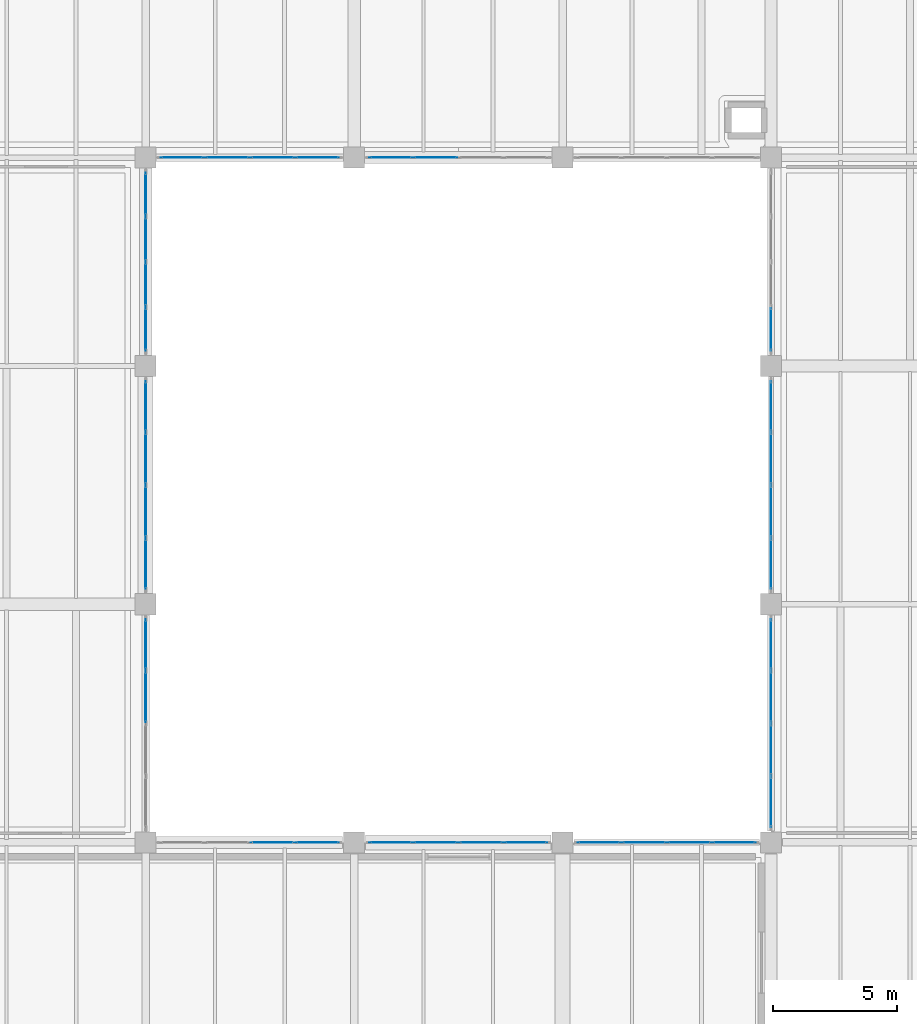
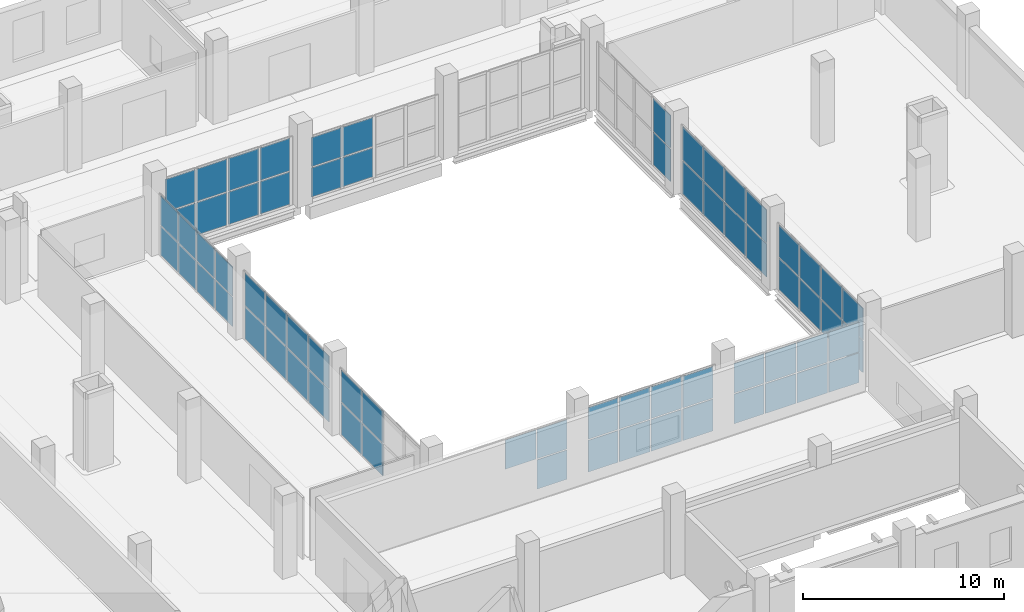
# One storey, part 42 of 66: 69 plates, 11 elements without a shape of their own.
"""IFC4 building model written with IfcOpenShell, lengths in metres."""

from ifc_helpers import new_model, si_unit, direction, frame, origin, origin_2d, place, context, subcontext, project, spatial, rectangle, extrude, material, layer, layer_set, type_object, element, aggregate, save


model = new_model("IFC4")

# Units and contexts
model_context = context("Model", 3, precision=1e-05, world=origin(), true_north=direction((0.0, 1.0)))
body_context = subcontext(model_context, "Body", "Model", "MODEL_VIEW")
ifc_project = project(units=[si_unit("LENGTHUNIT", "METRE"), si_unit("AREAUNIT", "SQUARE_METRE"), si_unit("VOLUMEUNIT", "CUBIC_METRE"), si_unit("PLANEANGLEUNIT", "RADIAN"), si_unit("MASSUNIT", "GRAM", prefix="KILO")], contexts=[model_context])

# Site, building, storey
site_placement = place(None, origin())
site = spatial("IfcSite", under=ifc_project, at=site_placement, CompositionType="ELEMENT")
building_placement = place(site_placement, origin())
building = spatial("IfcBuilding", under=site, at=building_placement, Name="Zulmaris Art Gallery", CompositionType="ELEMENT")
storey_placement = place(building_placement, frame((0.0, 0.0, 5.39990234375)))
storey = spatial("IfcBuildingStorey", under=building, at=storey_placement, Name="L01", CompositionType="ELEMENT", Elevation=5.39990234375)

# Curtain wall, plates
ifc_material_1 = material(Name="Courtyard Artists Studio Curtain Wall", Category="aluminium")
ifc_layer_1 = layer(ifc_material_1, 0.179931640625)
ifc_layer_set_1 = layer_set([ifc_layer_1], Name="Courtyard Artists Studio Curtain Wall")
curtain_wall_type = type_object("IfcCurtainWallType", Name="CW-CW04", PredefinedType="NOTDEFINED", material=ifc_layer_set_1)
curtain_wall_1_placement = place(storey_placement, origin())
curtain_wall_1 = element("IfcCurtainWall", 1, at=curtain_wall_1_placement, inside=storey, type_object=curtain_wall_type, Name="L01 curtain wall 123", PredefinedType="NOTDEFINED")
ifc_material_2 = material(Name="Triple Solar-Control Laminated Glass", Category="glass")
ifc_layer_2 = layer(ifc_material_2, 0.035888671875)
ifc_layer_set_2 = layer_set([ifc_layer_2], Name="Triple Solar-Control Laminated Glass")
plate_type = type_object("IfcPlateType", Name="CWPAN-GLZ", PredefinedType="CURTAIN_PANEL", material=ifc_layer_set_2)
plate_1_placement = place(storey_placement, frame((158.39990234375, 37.06494140625, 0.0751953125), z_axis=(0.0, 0.0, 1.0), x_axis=(0.0, 1.0, 0.0)))
plate_1 = element("IfcPlate", 2, at=plate_1_placement, type_object=plate_type, Name="CW04 panel 3.1", PredefinedType="CURTAIN_PANEL", context=body_context, shape_type="SweptSolid", body=[
    extrude(rectangle(XDim=2.054931640625, YDim=0.031982421875, at=origin_2d()), origin(), (0.0, 0.0, 1.0), 1.922607421875),
])
plate_2_placement = place(storey_placement, frame((158.39990234375, 37.06494140625, 2.07275390625), z_axis=(0.0, 0.0, 1.0), x_axis=(0.0, 1.0, 0.0)))
plate_2 = element("IfcPlate", 3, at=plate_2_placement, type_object=plate_type, Name="CW04 panel 3.2", PredefinedType="CURTAIN_PANEL", context=body_context, shape_type="SweptSolid", body=[
    extrude(rectangle(XDim=2.054931640625, YDim=0.031982421875, at=origin_2d()), origin(), (0.0, 0.0, 1.0), 1.922607421875),
])
plate_3_placement = place(storey_placement, frame((158.39990234375, 39.17626953125, 0.0751953125), z_axis=(0.0, 0.0, 1.0), x_axis=(0.0, 1.0, 0.0)))
plate_3 = element("IfcPlate", 4, at=plate_3_placement, type_object=plate_type, Name="CW04 panel 4.1", PredefinedType="CURTAIN_PANEL", context=body_context, shape_type="SweptSolid", body=[
    extrude(rectangle(XDim=2.017578125, YDim=0.031982421875, at=origin_2d()), origin(), (0.0, 0.0, 1.0), 1.922607421875),
])
plate_4_placement = place(storey_placement, frame((158.39990234375, 39.17626953125, 2.07275390625), z_axis=(0.0, 0.0, 1.0), x_axis=(0.0, 1.0, 0.0)))
plate_4 = element("IfcPlate", 5, at=plate_4_placement, type_object=plate_type, Name="CW04 panel 4.2", PredefinedType="CURTAIN_PANEL", context=body_context, shape_type="SweptSolid", body=[
    extrude(rectangle(XDim=2.017578125, YDim=0.031982421875, at=origin_2d()), origin(), (0.0, 0.0, 1.0), 1.922607421875),
])
aggregate(curtain_wall_1, [plate_1, plate_2, plate_3, plate_4])

curtain_wall_2_placement = place(storey_placement, origin())
curtain_wall_2 = element("IfcCurtainWall", 6, at=curtain_wall_2_placement, inside=storey, type_object=curtain_wall_type, Name="L01 curtain wall 124", PredefinedType="NOTDEFINED")
plate_5_placement = place(storey_placement, frame((183.60009765625, 39.17626953125, 0.0751953125), z_axis=(0.0, 0.0, 1.0), x_axis=(0.0, -1.0, 0.0)))
plate_5 = element("IfcPlate", 7, at=plate_5_placement, type_object=plate_type, Name="CW04 panel 1.1", PredefinedType="CURTAIN_PANEL", context=body_context, shape_type="SweptSolid", body=[
    extrude(rectangle(XDim=2.017578125, YDim=0.031982421875, at=origin_2d()), origin(), (0.0, 0.0, 1.0), 1.922607421875),
])
plate_6_placement = place(storey_placement, frame((183.60009765625, 39.17626953125, 2.07275390625), z_axis=(0.0, 0.0, 1.0), x_axis=(0.0, -1.0, 0.0)))
plate_6 = element("IfcPlate", 8, at=plate_6_placement, type_object=plate_type, Name="CW04 panel 1.2", PredefinedType="CURTAIN_PANEL", context=body_context, shape_type="SweptSolid", body=[
    extrude(rectangle(XDim=2.017578125, YDim=0.031982421875, at=origin_2d()), origin(), (0.0, 0.0, 1.0), 1.922607421875),
])
plate_7_placement = place(storey_placement, frame((183.60009765625, 37.06494140625, 0.0751953125), z_axis=(0.0, 0.0, 1.0), x_axis=(0.0, -1.0, 0.0)))
plate_7 = element("IfcPlate", 9, at=plate_7_placement, type_object=plate_type, Name="CW04 panel 2.1", PredefinedType="CURTAIN_PANEL", context=body_context, shape_type="SweptSolid", body=[
    extrude(rectangle(XDim=2.054931640625, YDim=0.031982421875, at=origin_2d()), origin(), (0.0, 0.0, 1.0), 1.922607421875),
])
plate_8_placement = place(storey_placement, frame((183.60009765625, 37.06494140625, 2.07275390625), z_axis=(0.0, 0.0, 1.0), x_axis=(0.0, -1.0, 0.0)))
plate_8 = element("IfcPlate", 10, at=plate_8_placement, type_object=plate_type, Name="CW04 panel 2.2", PredefinedType="CURTAIN_PANEL", context=body_context, shape_type="SweptSolid", body=[
    extrude(rectangle(XDim=2.054931640625, YDim=0.031982421875, at=origin_2d()), origin(), (0.0, 0.0, 1.0), 1.922607421875),
])
plate_9_placement = place(storey_placement, frame((183.60009765625, 34.93505859375, 0.0751953125), z_axis=(0.0, 0.0, 1.0), x_axis=(0.0, -1.0, 0.0)))
plate_9 = element("IfcPlate", 11, at=plate_9_placement, type_object=plate_type, Name="CW04 panel 3.1", PredefinedType="CURTAIN_PANEL", context=body_context, shape_type="SweptSolid", body=[
    extrude(rectangle(XDim=2.054931640625, YDim=0.031982421875, at=origin_2d()), origin(), (0.0, 0.0, 1.0), 1.922607421875),
])
plate_10_placement = place(storey_placement, frame((183.60009765625, 34.93505859375, 2.07275390625), z_axis=(0.0, 0.0, 1.0), x_axis=(0.0, -1.0, 0.0)))
plate_10 = element("IfcPlate", 12, at=plate_10_placement, type_object=plate_type, Name="CW04 panel 3.2", PredefinedType="CURTAIN_PANEL", context=body_context, shape_type="SweptSolid", body=[
    extrude(rectangle(XDim=2.054931640625, YDim=0.031982421875, at=origin_2d()), origin(), (0.0, 0.0, 1.0), 1.922607421875),
])
plate_11_placement = place(storey_placement, frame((183.60009765625, 32.82373046875, 0.0751953125), z_axis=(0.0, 0.0, 1.0), x_axis=(0.0, -1.0, 0.0)))
plate_11 = element("IfcPlate", 13, at=plate_11_placement, type_object=plate_type, Name="CW04 panel 4.1", PredefinedType="CURTAIN_PANEL", context=body_context, shape_type="SweptSolid", body=[
    extrude(rectangle(XDim=2.017578125, YDim=0.031982421875, at=origin_2d()), origin(), (0.0, 0.0, 1.0), 1.922607421875),
])
plate_12_placement = place(storey_placement, frame((183.60009765625, 32.82373046875, 2.07275390625), z_axis=(0.0, 0.0, 1.0), x_axis=(0.0, -1.0, 0.0)))
plate_12 = element("IfcPlate", 14, at=plate_12_placement, type_object=plate_type, Name="CW04 panel 4.2", PredefinedType="CURTAIN_PANEL", context=body_context, shape_type="SweptSolid", body=[
    extrude(rectangle(XDim=2.017578125, YDim=0.031982421875, at=origin_2d()), origin(), (0.0, 0.0, 1.0), 1.922607421875),
])
aggregate(curtain_wall_2, [plate_5, plate_6, plate_7, plate_8, plate_9, plate_10, plate_11, plate_12])

curtain_wall_3_placement = place(storey_placement, origin())
curtain_wall_3 = element("IfcCurtainWall", 15, at=curtain_wall_3_placement, inside=storey, type_object=curtain_wall_type, Name="L01 curtain wall 125", PredefinedType="NOTDEFINED")
plate_13_placement = place(storey_placement, frame((158.39990234375, 42.423828125, 0.074951171875), z_axis=(0.0, 0.0, 1.0), x_axis=(0.0, 1.0, 0.0)))
plate_13 = element("IfcPlate", 16, at=plate_13_placement, type_object=plate_type, Name="CW04 panel 1.1", PredefinedType="CURTAIN_PANEL", context=body_context, shape_type="SweptSolid", body=[
    extrude(rectangle(XDim=2.017578125, YDim=0.031982421875, at=origin_2d()), origin(), (0.0, 0.0, 1.0), 1.97509765625),
])
plate_14_placement = place(storey_placement, frame((158.39990234375, 42.423828125, 2.125), z_axis=(0.0, 0.0, 1.0), x_axis=(0.0, 1.0, 0.0)))
plate_14 = element("IfcPlate", 17, at=plate_14_placement, type_object=plate_type, Name="CW04 panel 1.2", PredefinedType="CURTAIN_PANEL", context=body_context, shape_type="SweptSolid", body=[
    extrude(rectangle(XDim=2.017578125, YDim=0.031982421875, at=origin_2d()), origin(), (0.0, 0.0, 1.0), 1.97509765625),
])
plate_15_placement = place(storey_placement, frame((158.39990234375, 44.534912109375, 0.074951171875), z_axis=(0.0, 0.0, 1.0), x_axis=(0.0, 1.0, 0.0)))
plate_15 = element("IfcPlate", 18, at=plate_15_placement, type_object=plate_type, Name="CW04 panel 2.1", PredefinedType="CURTAIN_PANEL", context=body_context, shape_type="SweptSolid", body=[
    extrude(rectangle(XDim=2.054931640625, YDim=0.031982421875, at=origin_2d()), origin(), (0.0, 0.0, 1.0), 1.97509765625),
])
plate_16_placement = place(storey_placement, frame((158.39990234375, 44.534912109375, 2.125), z_axis=(0.0, 0.0, 1.0), x_axis=(0.0, 1.0, 0.0)))
plate_16 = element("IfcPlate", 19, at=plate_16_placement, type_object=plate_type, Name="CW04 panel 2.2", PredefinedType="CURTAIN_PANEL", context=body_context, shape_type="SweptSolid", body=[
    extrude(rectangle(XDim=2.054931640625, YDim=0.031982421875, at=origin_2d()), origin(), (0.0, 0.0, 1.0), 1.97509765625),
])
plate_17_placement = place(storey_placement, frame((158.39990234375, 46.6650390625, 0.074951171875), z_axis=(0.0, 0.0, 1.0), x_axis=(0.0, 1.0, 0.0)))
plate_17 = element("IfcPlate", 20, at=plate_17_placement, type_object=plate_type, Name="CW04 panel 3.1", PredefinedType="CURTAIN_PANEL", context=body_context, shape_type="SweptSolid", body=[
    extrude(rectangle(XDim=2.054931640625, YDim=0.031982421875, at=origin_2d()), origin(), (0.0, 0.0, 1.0), 1.97509765625),
])
plate_18_placement = place(storey_placement, frame((158.39990234375, 46.6650390625, 2.125), z_axis=(0.0, 0.0, 1.0), x_axis=(0.0, 1.0, 0.0)))
plate_18 = element("IfcPlate", 21, at=plate_18_placement, type_object=plate_type, Name="CW04 panel 3.2", PredefinedType="CURTAIN_PANEL", context=body_context, shape_type="SweptSolid", body=[
    extrude(rectangle(XDim=2.054931640625, YDim=0.031982421875, at=origin_2d()), origin(), (0.0, 0.0, 1.0), 1.97509765625),
])
plate_19_placement = place(storey_placement, frame((158.39990234375, 48.7763671875, 0.074951171875), z_axis=(0.0, 0.0, 1.0), x_axis=(0.0, 1.0, 0.0)))
plate_19 = element("IfcPlate", 22, at=plate_19_placement, type_object=plate_type, Name="CW04 panel 4.1", PredefinedType="CURTAIN_PANEL", context=body_context, shape_type="SweptSolid", body=[
    extrude(rectangle(XDim=2.017578125, YDim=0.031982421875, at=origin_2d()), origin(), (0.0, 0.0, 1.0), 1.97509765625),
])
plate_20_placement = place(storey_placement, frame((158.39990234375, 48.7763671875, 2.125), z_axis=(0.0, 0.0, 1.0), x_axis=(0.0, 1.0, 0.0)))
plate_20 = element("IfcPlate", 23, at=plate_20_placement, type_object=plate_type, Name="CW04 panel 4.2", PredefinedType="CURTAIN_PANEL", context=body_context, shape_type="SweptSolid", body=[
    extrude(rectangle(XDim=2.017578125, YDim=0.031982421875, at=origin_2d()), origin(), (0.0, 0.0, 1.0), 1.97509765625),
])
aggregate(curtain_wall_3, [plate_13, plate_14, plate_15, plate_16, plate_17, plate_18, plate_19, plate_20])

curtain_wall_4_placement = place(storey_placement, origin())
curtain_wall_4 = element("IfcCurtainWall", 24, at=curtain_wall_4_placement, inside=storey, type_object=curtain_wall_type, Name="L01 curtain wall 126", PredefinedType="NOTDEFINED")
plate_21_placement = place(storey_placement, frame((183.60009765625, 48.7763671875, 0.0751953125), z_axis=(0.0, 0.0, 1.0), x_axis=(0.0, -1.0, 0.0)))
plate_21 = element("IfcPlate", 25, at=plate_21_placement, type_object=plate_type, Name="CW04 panel 1.1", PredefinedType="CURTAIN_PANEL", context=body_context, shape_type="SweptSolid", body=[
    extrude(rectangle(XDim=2.017578125, YDim=0.031982421875, at=origin_2d()), origin(), (0.0, 0.0, 1.0), 2.00244140625),
])
plate_22_placement = place(storey_placement, frame((183.60009765625, 48.7763671875, 2.152587890625), z_axis=(0.0, 0.0, 1.0), x_axis=(0.0, -1.0, 0.0)))
plate_22 = element("IfcPlate", 26, at=plate_22_placement, type_object=plate_type, Name="CW04 panel 1.2", PredefinedType="CURTAIN_PANEL", context=body_context, shape_type="SweptSolid", body=[
    extrude(rectangle(XDim=2.017578125, YDim=0.031982421875, at=origin_2d()), origin(), (0.0, 0.0, 1.0), 2.00244140625),
])
plate_23_placement = place(storey_placement, frame((183.60009765625, 46.6650390625, 0.0751953125), z_axis=(0.0, 0.0, 1.0), x_axis=(0.0, -1.0, 0.0)))
plate_23 = element("IfcPlate", 27, at=plate_23_placement, type_object=plate_type, Name="CW04 panel 2.1", PredefinedType="CURTAIN_PANEL", context=body_context, shape_type="SweptSolid", body=[
    extrude(rectangle(XDim=2.054931640625, YDim=0.031982421875, at=origin_2d()), origin(), (0.0, 0.0, 1.0), 2.00244140625),
])
plate_24_placement = place(storey_placement, frame((183.60009765625, 46.6650390625, 2.152587890625), z_axis=(0.0, 0.0, 1.0), x_axis=(0.0, -1.0, 0.0)))
plate_24 = element("IfcPlate", 28, at=plate_24_placement, type_object=plate_type, Name="CW04 panel 2.2", PredefinedType="CURTAIN_PANEL", context=body_context, shape_type="SweptSolid", body=[
    extrude(rectangle(XDim=2.054931640625, YDim=0.031982421875, at=origin_2d()), origin(), (0.0, 0.0, 1.0), 2.00244140625),
])
plate_25_placement = place(storey_placement, frame((183.60009765625, 44.534912109375, 0.0751953125), z_axis=(0.0, 0.0, 1.0), x_axis=(0.0, -1.0, 0.0)))
plate_25 = element("IfcPlate", 29, at=plate_25_placement, type_object=plate_type, Name="CW04 panel 3.1", PredefinedType="CURTAIN_PANEL", context=body_context, shape_type="SweptSolid", body=[
    extrude(rectangle(XDim=2.054931640625, YDim=0.031982421875, at=origin_2d()), origin(), (0.0, 0.0, 1.0), 2.00244140625),
])
plate_26_placement = place(storey_placement, frame((183.60009765625, 44.534912109375, 2.152587890625), z_axis=(0.0, 0.0, 1.0), x_axis=(0.0, -1.0, 0.0)))
plate_26 = element("IfcPlate", 30, at=plate_26_placement, type_object=plate_type, Name="CW04 panel 3.2", PredefinedType="CURTAIN_PANEL", context=body_context, shape_type="SweptSolid", body=[
    extrude(rectangle(XDim=2.054931640625, YDim=0.031982421875, at=origin_2d()), origin(), (0.0, 0.0, 1.0), 2.00244140625),
])
plate_27_placement = place(storey_placement, frame((183.60009765625, 42.423828125, 0.0751953125), z_axis=(0.0, 0.0, 1.0), x_axis=(0.0, -1.0, 0.0)))
plate_27 = element("IfcPlate", 31, at=plate_27_placement, type_object=plate_type, Name="CW04 panel 4.1", PredefinedType="CURTAIN_PANEL", context=body_context, shape_type="SweptSolid", body=[
    extrude(rectangle(XDim=2.017578125, YDim=0.031982421875, at=origin_2d()), origin(), (0.0, 0.0, 1.0), 2.00244140625),
])
plate_28_placement = place(storey_placement, frame((183.60009765625, 42.423828125, 2.152587890625), z_axis=(0.0, 0.0, 1.0), x_axis=(0.0, -1.0, 0.0)))
plate_28 = element("IfcPlate", 32, at=plate_28_placement, type_object=plate_type, Name="CW04 panel 4.2", PredefinedType="CURTAIN_PANEL", context=body_context, shape_type="SweptSolid", body=[
    extrude(rectangle(XDim=2.017578125, YDim=0.031982421875, at=origin_2d()), origin(), (0.0, 0.0, 1.0), 2.00244140625),
])
aggregate(curtain_wall_4, [plate_21, plate_22, plate_23, plate_24, plate_25, plate_26, plate_27, plate_28])

curtain_wall_5_placement = place(storey_placement, origin())
curtain_wall_5 = element("IfcCurtainWall", 33, at=curtain_wall_5_placement, inside=storey, type_object=curtain_wall_type, Name="L01 curtain wall 127", PredefinedType="NOTDEFINED")
plate_29_placement = place(storey_placement, frame((158.39990234375, 51.873779296875, 0.0751953125), z_axis=(0.0, 0.0, 1.0), x_axis=(0.0, 1.0, 0.0)))
plate_29 = element("IfcPlate", 34, at=plate_29_placement, type_object=plate_type, Name="CW04 panel 1.1", PredefinedType="CURTAIN_PANEL", context=body_context, shape_type="SweptSolid", body=[
    extrude(rectangle(XDim=1.717529296875, YDim=0.031982421875, at=origin_2d()), origin(), (0.0, 0.0, 1.0), 1.7724609375),
])
plate_30_placement = place(storey_placement, frame((158.39990234375, 51.873779296875, 1.922607421875), z_axis=(0.0, 0.0, 1.0), x_axis=(0.0, 1.0, 0.0)))
plate_30 = element("IfcPlate", 35, at=plate_30_placement, type_object=plate_type, Name="CW04 panel 1.2", PredefinedType="CURTAIN_PANEL", context=body_context, shape_type="SweptSolid", body=[
    extrude(rectangle(XDim=1.717529296875, YDim=0.031982421875, at=origin_2d()), origin(), (0.0, 0.0, 1.0), 1.7724609375),
])
plate_31_placement = place(storey_placement, frame((158.39990234375, 53.68505859375, 0.0751953125), z_axis=(0.0, 0.0, 1.0), x_axis=(0.0, 1.0, 0.0)))
plate_31 = element("IfcPlate", 36, at=plate_31_placement, type_object=plate_type, Name="CW04 panel 2.1", PredefinedType="CURTAIN_PANEL", context=body_context, shape_type="SweptSolid", body=[
    extrude(rectangle(XDim=1.7548828125, YDim=0.031982421875, at=origin_2d()), origin(), (0.0, 0.0, 1.0), 1.7724609375),
])
plate_32_placement = place(storey_placement, frame((158.39990234375, 53.68505859375, 1.922607421875), z_axis=(0.0, 0.0, 1.0), x_axis=(0.0, 1.0, 0.0)))
plate_32 = element("IfcPlate", 37, at=plate_32_placement, type_object=plate_type, Name="CW04 panel 2.2", PredefinedType="CURTAIN_PANEL", context=body_context, shape_type="SweptSolid", body=[
    extrude(rectangle(XDim=1.7548828125, YDim=0.031982421875, at=origin_2d()), origin(), (0.0, 0.0, 1.0), 1.7724609375),
])
plate_33_placement = place(storey_placement, frame((158.39990234375, 55.514892578125, 0.0751953125), z_axis=(0.0, 0.0, 1.0), x_axis=(0.0, 1.0, 0.0)))
plate_33 = element("IfcPlate", 38, at=plate_33_placement, type_object=plate_type, Name="CW04 panel 3.1", PredefinedType="CURTAIN_PANEL", context=body_context, shape_type="SweptSolid", body=[
    extrude(rectangle(XDim=1.7548828125, YDim=0.031982421875, at=origin_2d()), origin(), (0.0, 0.0, 1.0), 1.7724609375),
])
plate_34_placement = place(storey_placement, frame((158.39990234375, 55.514892578125, 1.922607421875), z_axis=(0.0, 0.0, 1.0), x_axis=(0.0, 1.0, 0.0)))
plate_34 = element("IfcPlate", 39, at=plate_34_placement, type_object=plate_type, Name="CW04 panel 3.2", PredefinedType="CURTAIN_PANEL", context=body_context, shape_type="SweptSolid", body=[
    extrude(rectangle(XDim=1.7548828125, YDim=0.031982421875, at=origin_2d()), origin(), (0.0, 0.0, 1.0), 1.7724609375),
])
plate_35_placement = place(storey_placement, frame((158.39990234375, 57.326171875, 0.0751953125), z_axis=(0.0, 0.0, 1.0), x_axis=(0.0, 1.0, 0.0)))
plate_35 = element("IfcPlate", 40, at=plate_35_placement, type_object=plate_type, Name="CW04 panel 4.1", PredefinedType="CURTAIN_PANEL", context=body_context, shape_type="SweptSolid", body=[
    extrude(rectangle(XDim=1.717529296875, YDim=0.031982421875, at=origin_2d()), origin(), (0.0, 0.0, 1.0), 1.7724609375),
])
plate_36_placement = place(storey_placement, frame((158.39990234375, 57.326171875, 1.922607421875), z_axis=(0.0, 0.0, 1.0), x_axis=(0.0, 1.0, 0.0)))
plate_36 = element("IfcPlate", 41, at=plate_36_placement, type_object=plate_type, Name="CW04 panel 4.2", PredefinedType="CURTAIN_PANEL", context=body_context, shape_type="SweptSolid", body=[
    extrude(rectangle(XDim=1.717529296875, YDim=0.031982421875, at=origin_2d()), origin(), (0.0, 0.0, 1.0), 1.7724609375),
])
aggregate(curtain_wall_5, [plate_29, plate_30, plate_31, plate_32, plate_33, plate_34, plate_35, plate_36])

curtain_wall_6_placement = place(storey_placement, origin())
curtain_wall_6 = element("IfcCurtainWall", 42, at=curtain_wall_6_placement, inside=storey, type_object=curtain_wall_type, Name="L01 curtain wall 128", PredefinedType="NOTDEFINED")
plate_37_placement = place(storey_placement, frame((183.60009765625, 51.873779296875, 0.0751953125), z_axis=(0.0, 0.0, 1.0), x_axis=(0.0, -1.0, 0.0)))
plate_37 = element("IfcPlate", 43, at=plate_37_placement, type_object=plate_type, Name="CW04 panel 4.1", PredefinedType="CURTAIN_PANEL", context=body_context, shape_type="SweptSolid", body=[
    extrude(rectangle(XDim=1.717529296875, YDim=0.031982421875, at=origin_2d()), origin(), (0.0, 0.0, 1.0), 1.972412109375),
])
plate_38_placement = place(storey_placement, frame((183.60009765625, 51.873779296875, 2.12255859375), z_axis=(0.0, 0.0, 1.0), x_axis=(0.0, -1.0, 0.0)))
plate_38 = element("IfcPlate", 44, at=plate_38_placement, type_object=plate_type, Name="CW04 panel 4.2", PredefinedType="CURTAIN_PANEL", context=body_context, shape_type="SweptSolid", body=[
    extrude(rectangle(XDim=1.717529296875, YDim=0.031982421875, at=origin_2d()), origin(), (0.0, 0.0, 1.0), 1.972412109375),
])
aggregate(curtain_wall_6, [plate_37, plate_38])

curtain_wall_7_placement = place(storey_placement, origin())
curtain_wall_7 = element("IfcCurtainWall", 45, at=curtain_wall_7_placement, inside=storey, type_object=curtain_wall_type, Name="L01 curtain wall 129", PredefinedType="NOTDEFINED")
plate_39_placement = place(storey_placement, frame((165.326171875, 58.800048828125, 0.0751953125), z_axis=(0.0, 0.0, 1.0), x_axis=(-1.0, 0.0, 0.0)))
plate_39 = element("IfcPlate", 46, at=plate_39_placement, type_object=plate_type, Name="CW04 panel 1.1", PredefinedType="CURTAIN_PANEL", context=body_context, shape_type="SweptSolid", body=[
    extrude(rectangle(XDim=1.717529296875, YDim=0.031982421875, at=origin_2d()), origin(), (0.0, 0.0, 1.0), 1.972412109375),
])
plate_40_placement = place(storey_placement, frame((165.326171875, 58.800048828125, 2.12255859375), z_axis=(0.0, 0.0, 1.0), x_axis=(-1.0, 0.0, 0.0)))
plate_40 = element("IfcPlate", 47, at=plate_40_placement, type_object=plate_type, Name="CW04 panel 1.2", PredefinedType="CURTAIN_PANEL", context=body_context, shape_type="SweptSolid", body=[
    extrude(rectangle(XDim=1.717529296875, YDim=0.031982421875, at=origin_2d()), origin(), (0.0, 0.0, 1.0), 1.972412109375),
])
plate_41_placement = place(storey_placement, frame((163.514892578125, 58.800048828125, 0.0751953125), z_axis=(0.0, 0.0, 1.0), x_axis=(-1.0, 0.0, 0.0)))
plate_41 = element("IfcPlate", 48, at=plate_41_placement, type_object=plate_type, Name="CW04 panel 2.1", PredefinedType="CURTAIN_PANEL", context=body_context, shape_type="SweptSolid", body=[
    extrude(rectangle(XDim=1.7548828125, YDim=0.031982421875, at=origin_2d()), origin(), (0.0, 0.0, 1.0), 1.972412109375),
])
plate_42_placement = place(storey_placement, frame((163.514892578125, 58.800048828125, 2.12255859375), z_axis=(0.0, 0.0, 1.0), x_axis=(-1.0, 0.0, 0.0)))
plate_42 = element("IfcPlate", 49, at=plate_42_placement, type_object=plate_type, Name="CW04 panel 2.2", PredefinedType="CURTAIN_PANEL", context=body_context, shape_type="SweptSolid", body=[
    extrude(rectangle(XDim=1.7548828125, YDim=0.031982421875, at=origin_2d()), origin(), (0.0, 0.0, 1.0), 1.972412109375),
])
plate_43_placement = place(storey_placement, frame((161.68505859375, 58.800048828125, 0.0751953125), z_axis=(0.0, 0.0, 1.0), x_axis=(-1.0, 0.0, 0.0)))
plate_43 = element("IfcPlate", 50, at=plate_43_placement, type_object=plate_type, Name="CW04 panel 3.1", PredefinedType="CURTAIN_PANEL", context=body_context, shape_type="SweptSolid", body=[
    extrude(rectangle(XDim=1.7548828125, YDim=0.031982421875, at=origin_2d()), origin(), (0.0, 0.0, 1.0), 1.972412109375),
])
plate_44_placement = place(storey_placement, frame((161.68505859375, 58.800048828125, 2.12255859375), z_axis=(0.0, 0.0, 1.0), x_axis=(-1.0, 0.0, 0.0)))
plate_44 = element("IfcPlate", 51, at=plate_44_placement, type_object=plate_type, Name="CW04 panel 3.2", PredefinedType="CURTAIN_PANEL", context=body_context, shape_type="SweptSolid", body=[
    extrude(rectangle(XDim=1.7548828125, YDim=0.031982421875, at=origin_2d()), origin(), (0.0, 0.0, 1.0), 1.972412109375),
])
plate_45_placement = place(storey_placement, frame((159.873779296875, 58.800048828125, 0.0751953125), z_axis=(0.0, 0.0, 1.0), x_axis=(-1.0, 0.0, 0.0)))
plate_45 = element("IfcPlate", 52, at=plate_45_placement, type_object=plate_type, Name="CW04 panel 4.1", PredefinedType="CURTAIN_PANEL", context=body_context, shape_type="SweptSolid", body=[
    extrude(rectangle(XDim=1.717529296875, YDim=0.031982421875, at=origin_2d()), origin(), (0.0, 0.0, 1.0), 1.972412109375),
])
plate_46_placement = place(storey_placement, frame((159.873779296875, 58.800048828125, 2.12255859375), z_axis=(0.0, 0.0, 1.0), x_axis=(-1.0, 0.0, 0.0)))
plate_46 = element("IfcPlate", 53, at=plate_46_placement, type_object=plate_type, Name="CW04 panel 4.2", PredefinedType="CURTAIN_PANEL", context=body_context, shape_type="SweptSolid", body=[
    extrude(rectangle(XDim=1.717529296875, YDim=0.031982421875, at=origin_2d()), origin(), (0.0, 0.0, 1.0), 1.972412109375),
])
aggregate(curtain_wall_7, [plate_39, plate_40, plate_41, plate_42, plate_43, plate_44, plate_45, plate_46])

curtain_wall_8_placement = place(storey_placement, origin())
curtain_wall_8 = element("IfcCurtainWall", 54, at=curtain_wall_8_placement, inside=storey, type_object=curtain_wall_type, Name="L01 curtain wall 130", PredefinedType="NOTDEFINED")
plate_47_placement = place(storey_placement, frame((163.514892578125, 31.199951171875, 1.922607421875), z_axis=(0.0, 0.0, 1.0), x_axis=(1.0, 0.0, 0.0)))
plate_47 = element("IfcPlate", 55, at=plate_47_placement, type_object=plate_type, Name="CW04 panel 3.2", PredefinedType="CURTAIN_PANEL", context=body_context, shape_type="SweptSolid", body=[
    extrude(rectangle(XDim=1.7548828125, YDim=0.031982421875, at=origin_2d()), origin(), (0.0, 0.0, 1.0), 1.7724609375),
])
plate_48_placement = place(storey_placement, frame((165.326171875, 31.199951171875, 0.0751953125), z_axis=(0.0, 0.0, 1.0), x_axis=(1.0, 0.0, 0.0)))
plate_48 = element("IfcPlate", 56, at=plate_48_placement, type_object=plate_type, Name="CW04 panel 4.1", PredefinedType="CURTAIN_PANEL", context=body_context, shape_type="SweptSolid", body=[
    extrude(rectangle(XDim=1.717529296875, YDim=0.031982421875, at=origin_2d()), origin(), (0.0, 0.0, 1.0), 1.7724609375),
])
plate_49_placement = place(storey_placement, frame((165.326171875, 31.199951171875, 1.922607421875), z_axis=(0.0, 0.0, 1.0), x_axis=(1.0, 0.0, 0.0)))
plate_49 = element("IfcPlate", 57, at=plate_49_placement, type_object=plate_type, Name="CW04 panel 4.2", PredefinedType="CURTAIN_PANEL", context=body_context, shape_type="SweptSolid", body=[
    extrude(rectangle(XDim=1.717529296875, YDim=0.031982421875, at=origin_2d()), origin(), (0.0, 0.0, 1.0), 1.7724609375),
])
aggregate(curtain_wall_8, [plate_47, plate_48, plate_49])

curtain_wall_9_placement = place(storey_placement, origin())
curtain_wall_9 = element("IfcCurtainWall", 58, at=curtain_wall_9_placement, inside=storey, type_object=curtain_wall_type, Name="L01 curtain wall 131", PredefinedType="NOTDEFINED")
plate_50_placement = place(storey_placement, frame((170.0849609375, 58.800048828125, 0.0751953125), z_axis=(0.0, 0.0, 1.0), x_axis=(-1.0, 0.0, 0.0)))
plate_50 = element("IfcPlate", 59, at=plate_50_placement, type_object=plate_type, Name="CW04 panel 3.1", PredefinedType="CURTAIN_PANEL", context=body_context, shape_type="SweptSolid", body=[
    extrude(rectangle(XDim=1.7548828125, YDim=0.031982421875, at=origin_2d()), origin(), (0.0, 0.0, 1.0), 1.7724609375),
])
plate_51_placement = place(storey_placement, frame((170.0849609375, 58.800048828125, 1.922607421875), z_axis=(0.0, 0.0, 1.0), x_axis=(-1.0, 0.0, 0.0)))
plate_51 = element("IfcPlate", 60, at=plate_51_placement, type_object=plate_type, Name="CW04 panel 3.2", PredefinedType="CURTAIN_PANEL", context=body_context, shape_type="SweptSolid", body=[
    extrude(rectangle(XDim=1.7548828125, YDim=0.031982421875, at=origin_2d()), origin(), (0.0, 0.0, 1.0), 1.7724609375),
])
plate_52_placement = place(storey_placement, frame((168.273681640625, 58.800048828125, 0.0751953125), z_axis=(0.0, 0.0, 1.0), x_axis=(-1.0, 0.0, 0.0)))
plate_52 = element("IfcPlate", 61, at=plate_52_placement, type_object=plate_type, Name="CW04 panel 4.1", PredefinedType="CURTAIN_PANEL", context=body_context, shape_type="SweptSolid", body=[
    extrude(rectangle(XDim=1.717529296875, YDim=0.031982421875, at=origin_2d()), origin(), (0.0, 0.0, 1.0), 1.7724609375),
])
plate_53_placement = place(storey_placement, frame((168.273681640625, 58.800048828125, 1.922607421875), z_axis=(0.0, 0.0, 1.0), x_axis=(-1.0, 0.0, 0.0)))
plate_53 = element("IfcPlate", 62, at=plate_53_placement, type_object=plate_type, Name="CW04 panel 4.2", PredefinedType="CURTAIN_PANEL", context=body_context, shape_type="SweptSolid", body=[
    extrude(rectangle(XDim=1.717529296875, YDim=0.031982421875, at=origin_2d()), origin(), (0.0, 0.0, 1.0), 1.7724609375),
])
aggregate(curtain_wall_9, [plate_50, plate_51, plate_52, plate_53])

curtain_wall_10_placement = place(storey_placement, origin())
curtain_wall_10 = element("IfcCurtainWall", 63, at=curtain_wall_10_placement, inside=storey, type_object=curtain_wall_type, Name="L01 curtain wall 132", PredefinedType="NOTDEFINED")
plate_54_placement = place(storey_placement, frame((168.273681640625, 31.199951171875, 0.0751953125), z_axis=(0.0, 0.0, 1.0), x_axis=(1.0, 0.0, 0.0)))
plate_54 = element("IfcPlate", 64, at=plate_54_placement, type_object=plate_type, Name="CW04 panel 1.1", PredefinedType="CURTAIN_PANEL", context=body_context, shape_type="SweptSolid", body=[
    extrude(rectangle(XDim=1.717529296875, YDim=0.031982421875, at=origin_2d()), origin(), (0.0, 0.0, 1.0), 1.925048828125),
])
plate_55_placement = place(storey_placement, frame((168.273681640625, 31.199951171875, 2.0751953125), z_axis=(0.0, 0.0, 1.0), x_axis=(1.0, 0.0, 0.0)))
plate_55 = element("IfcPlate", 65, at=plate_55_placement, type_object=plate_type, Name="CW04 panel 1.2", PredefinedType="CURTAIN_PANEL", context=body_context, shape_type="SweptSolid", body=[
    extrude(rectangle(XDim=1.717529296875, YDim=0.031982421875, at=origin_2d()), origin(), (0.0, 0.0, 1.0), 1.925048828125),
])
plate_56_placement = place(storey_placement, frame((170.0849609375, 31.199951171875, 0.0751953125), z_axis=(0.0, 0.0, 1.0), x_axis=(1.0, 0.0, 0.0)))
plate_56 = element("IfcPlate", 66, at=plate_56_placement, type_object=plate_type, Name="CW04 panel 2.1", PredefinedType="CURTAIN_PANEL", context=body_context, shape_type="SweptSolid", body=[
    extrude(rectangle(XDim=1.7548828125, YDim=0.031982421875, at=origin_2d()), origin(), (0.0, 0.0, 1.0), 1.925048828125),
])
plate_57_placement = place(storey_placement, frame((170.0849609375, 31.199951171875, 2.0751953125), z_axis=(0.0, 0.0, 1.0), x_axis=(1.0, 0.0, 0.0)))
plate_57 = element("IfcPlate", 67, at=plate_57_placement, type_object=plate_type, Name="CW04 panel 2.2", PredefinedType="CURTAIN_PANEL", context=body_context, shape_type="SweptSolid", body=[
    extrude(rectangle(XDim=1.7548828125, YDim=0.031982421875, at=origin_2d()), origin(), (0.0, 0.0, 1.0), 1.925048828125),
])
plate_58_placement = place(storey_placement, frame((171.9150390625, 31.199951171875, 0.0751953125), z_axis=(0.0, 0.0, 1.0), x_axis=(1.0, 0.0, 0.0)))
plate_58 = element("IfcPlate", 68, at=plate_58_placement, type_object=plate_type, Name="CW04 panel 3.1", PredefinedType="CURTAIN_PANEL", context=body_context, shape_type="SweptSolid", body=[
    extrude(rectangle(XDim=1.7548828125, YDim=0.031982421875, at=origin_2d()), origin(), (0.0, 0.0, 1.0), 1.925048828125),
])
plate_59_placement = place(storey_placement, frame((171.9150390625, 31.199951171875, 2.0751953125), z_axis=(0.0, 0.0, 1.0), x_axis=(1.0, 0.0, 0.0)))
plate_59 = element("IfcPlate", 69, at=plate_59_placement, type_object=plate_type, Name="CW04 panel 3.2", PredefinedType="CURTAIN_PANEL", context=body_context, shape_type="SweptSolid", body=[
    extrude(rectangle(XDim=1.7548828125, YDim=0.031982421875, at=origin_2d()), origin(), (0.0, 0.0, 1.0), 1.925048828125),
])
plate_60_placement = place(storey_placement, frame((173.726318359375, 31.199951171875, 0.0751953125), z_axis=(0.0, 0.0, 1.0), x_axis=(1.0, 0.0, 0.0)))
plate_60 = element("IfcPlate", 70, at=plate_60_placement, type_object=plate_type, Name="CW04 panel 4.1", PredefinedType="CURTAIN_PANEL", context=body_context, shape_type="SweptSolid", body=[
    extrude(rectangle(XDim=1.717529296875, YDim=0.031982421875, at=origin_2d()), origin(), (0.0, 0.0, 1.0), 1.925048828125),
])
plate_61_placement = place(storey_placement, frame((173.726318359375, 31.199951171875, 2.0751953125), z_axis=(0.0, 0.0, 1.0), x_axis=(1.0, 0.0, 0.0)))
plate_61 = element("IfcPlate", 71, at=plate_61_placement, type_object=plate_type, Name="CW04 panel 4.2", PredefinedType="CURTAIN_PANEL", context=body_context, shape_type="SweptSolid", body=[
    extrude(rectangle(XDim=1.717529296875, YDim=0.031982421875, at=origin_2d()), origin(), (0.0, 0.0, 1.0), 1.925048828125),
])
aggregate(curtain_wall_10, [plate_54, plate_55, plate_56, plate_57, plate_58, plate_59, plate_60, plate_61])

curtain_wall_11_placement = place(storey_placement, origin())
curtain_wall_11 = element("IfcCurtainWall", 72, at=curtain_wall_11_placement, inside=storey, type_object=curtain_wall_type, Name="L01 curtain wall 134", PredefinedType="NOTDEFINED")
plate_62_placement = place(storey_placement, frame((176.673828125, 31.199951171875, 0.0751953125), z_axis=(0.0, 0.0, 1.0), x_axis=(1.0, 0.0, 0.0)))
plate_62 = element("IfcPlate", 73, at=plate_62_placement, type_object=plate_type, Name="CW04 panel 1.1", PredefinedType="CURTAIN_PANEL", context=body_context, shape_type="SweptSolid", body=[
    extrude(rectangle(XDim=1.717529296875, YDim=0.031982421875, at=origin_2d()), origin(), (0.0, 0.0, 1.0), 1.797607421875),
])
plate_63_placement = place(storey_placement, frame((176.673828125, 31.199951171875, 1.94775390625), z_axis=(0.0, 0.0, 1.0), x_axis=(1.0, 0.0, 0.0)))
plate_63 = element("IfcPlate", 74, at=plate_63_placement, type_object=plate_type, Name="CW04 panel 1.2", PredefinedType="CURTAIN_PANEL", context=body_context, shape_type="SweptSolid", body=[
    extrude(rectangle(XDim=1.717529296875, YDim=0.031982421875, at=origin_2d()), origin(), (0.0, 0.0, 1.0), 1.797607421875),
])
plate_64_placement = place(storey_placement, frame((178.485107421875, 31.199951171875, 0.0751953125), z_axis=(0.0, 0.0, 1.0), x_axis=(1.0, 0.0, 0.0)))
plate_64 = element("IfcPlate", 75, at=plate_64_placement, type_object=plate_type, Name="CW04 panel 2.1", PredefinedType="CURTAIN_PANEL", context=body_context, shape_type="SweptSolid", body=[
    extrude(rectangle(XDim=1.7548828125, YDim=0.031982421875, at=origin_2d()), origin(), (0.0, 0.0, 1.0), 1.797607421875),
])
plate_65_placement = place(storey_placement, frame((178.485107421875, 31.199951171875, 1.94775390625), z_axis=(0.0, 0.0, 1.0), x_axis=(1.0, 0.0, 0.0)))
plate_65 = element("IfcPlate", 76, at=plate_65_placement, type_object=plate_type, Name="CW04 panel 2.2", PredefinedType="CURTAIN_PANEL", context=body_context, shape_type="SweptSolid", body=[
    extrude(rectangle(XDim=1.7548828125, YDim=0.031982421875, at=origin_2d()), origin(), (0.0, 0.0, 1.0), 1.797607421875),
])
plate_66_placement = place(storey_placement, frame((180.31494140625, 31.199951171875, 0.0751953125), z_axis=(0.0, 0.0, 1.0), x_axis=(1.0, 0.0, 0.0)))
plate_66 = element("IfcPlate", 77, at=plate_66_placement, type_object=plate_type, Name="CW04 panel 3.1", PredefinedType="CURTAIN_PANEL", context=body_context, shape_type="SweptSolid", body=[
    extrude(rectangle(XDim=1.7548828125, YDim=0.031982421875, at=origin_2d()), origin(), (0.0, 0.0, 1.0), 1.797607421875),
])
plate_67_placement = place(storey_placement, frame((180.31494140625, 31.199951171875, 1.94775390625), z_axis=(0.0, 0.0, 1.0), x_axis=(1.0, 0.0, 0.0)))
plate_67 = element("IfcPlate", 78, at=plate_67_placement, type_object=plate_type, Name="CW04 panel 3.2", PredefinedType="CURTAIN_PANEL", context=body_context, shape_type="SweptSolid", body=[
    extrude(rectangle(XDim=1.7548828125, YDim=0.031982421875, at=origin_2d()), origin(), (0.0, 0.0, 1.0), 1.797607421875),
])
plate_68_placement = place(storey_placement, frame((182.126220703125, 31.199951171875, 0.0751953125), z_axis=(0.0, 0.0, 1.0), x_axis=(1.0, 0.0, 0.0)))
plate_68 = element("IfcPlate", 79, at=plate_68_placement, type_object=plate_type, Name="CW04 panel 4.1", PredefinedType="CURTAIN_PANEL", context=body_context, shape_type="SweptSolid", body=[
    extrude(rectangle(XDim=1.717529296875, YDim=0.031982421875, at=origin_2d()), origin(), (0.0, 0.0, 1.0), 1.797607421875),
])
plate_69_placement = place(storey_placement, frame((182.126220703125, 31.199951171875, 1.94775390625), z_axis=(0.0, 0.0, 1.0), x_axis=(1.0, 0.0, 0.0)))
plate_69 = element("IfcPlate", 80, at=plate_69_placement, type_object=plate_type, Name="CW04 panel 4.2", PredefinedType="CURTAIN_PANEL", context=body_context, shape_type="SweptSolid", body=[
    extrude(rectangle(XDim=1.717529296875, YDim=0.031982421875, at=origin_2d()), origin(), (0.0, 0.0, 1.0), 1.797607421875),
])
aggregate(curtain_wall_11, [plate_62, plate_63, plate_64, plate_65, plate_66, plate_67, plate_68, plate_69])

save(model, "model.ifc")
